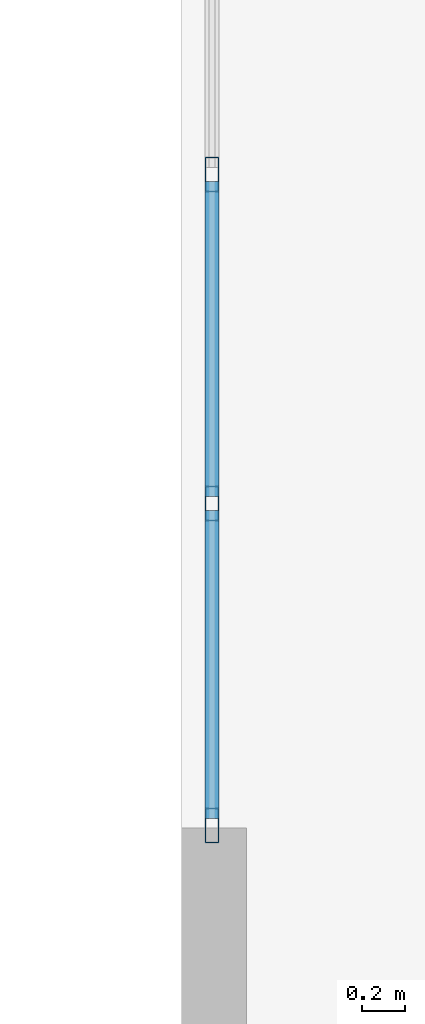
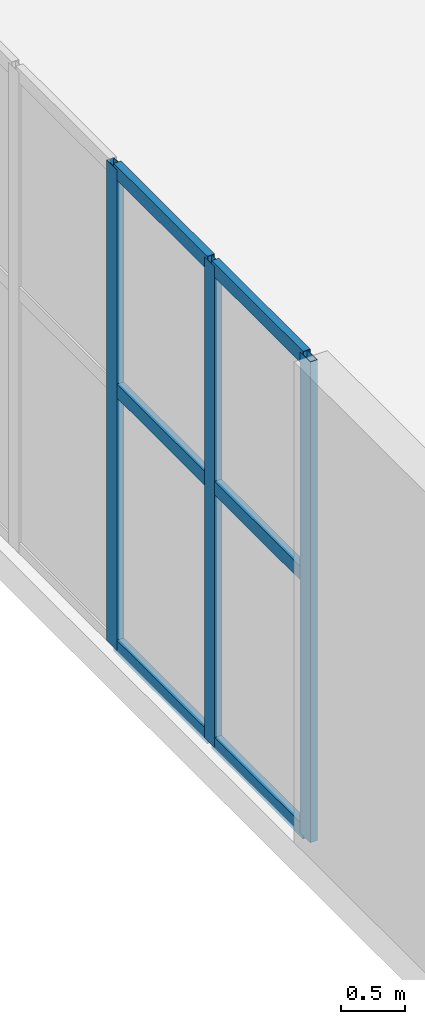
# One storey, part 14 of 72: 9 members, 1 element without a shape of its own.
"""IFC4 building model written with IfcOpenShell, lengths in metres."""

from ifc_helpers import new_model, si_unit, direction, frame, origin, origin_2d, place, context, subcontext, project, spatial, hollow_rectangle, extrude, material, layer, layer_set, material_profile, profile_set, type_object, element, aggregate, save


model = new_model("IFC4")

# Units and contexts
model_context = context("Model", 3, precision=1e-05, world=origin(), true_north=direction((0.0, 1.0)))
body_context = subcontext(model_context, "Body", "Model", "MODEL_VIEW")
ifc_project = project(units=[si_unit("LENGTHUNIT", "METRE"), si_unit("AREAUNIT", "SQUARE_METRE"), si_unit("VOLUMEUNIT", "CUBIC_METRE"), si_unit("PLANEANGLEUNIT", "RADIAN"), si_unit("MASSUNIT", "GRAM", prefix="KILO")], contexts=[model_context])

# Site, building, storey
site_placement = place(None, origin())
site = spatial("IfcSite", under=ifc_project, at=site_placement, CompositionType="ELEMENT")
building_placement = place(site_placement, origin())
building = spatial("IfcBuilding", under=site, at=building_placement, Name="Xicomal Pleat Aquarium", CompositionType="ELEMENT")
storey_placement = place(building_placement, frame((0.0, 0.0, 10.5)))
storey = spatial("IfcBuildingStorey", under=building, at=storey_placement, Name="L03", CompositionType="ELEMENT", Elevation=10.5)

# Curtain wall, members
ifc_material_1 = material(Name="Bronze anodized aluminium 6063-T6", Category="aluminium")
ifc_layer = layer(ifc_material_1, 0.159912109375)
ifc_layer_set = layer_set([ifc_layer], Name="Bronze anodized aluminium 6063-T6")
curtain_wall_type = type_object("IfcCurtainWallType", Name="CW-SYS-03", PredefinedType="NOTDEFINED", material=ifc_layer_set)
curtain_wall_placement = place(storey_placement, origin())
curtain_wall = element("IfcCurtainWall", 1, at=curtain_wall_placement, inside=storey, type_object=curtain_wall_type, Name="L03 unitised curtain wall CW-L03-168", PredefinedType="NOTDEFINED")
ifc_material_2 = material(Name="Bronze anodized aluminium 6063-T6", Category="aluminium")
ifc_material_profile_1 = material_profile(ifc_material_2, hollow_rectangle(XDim=0.06494140625, YDim=0.159912109375, WallThickness=0.00390625, at=origin_2d()), Name="ALU MULL 65x160")
ifc_profile_set_1 = profile_set([ifc_material_profile_1], Name="Bronze anodized aluminium 6063-T6")
member_type_1 = type_object("IfcMemberType", Name="CWM-65x160", PredefinedType="MULLION", material=ifc_profile_set_1)
member_1_placement = place(storey_placement, frame((43.93994140625, 45.632568359375, 0.0), z_axis=(0.0, 0.0, 1.0), x_axis=(-1.0, 0.0, 0.0)))
member_1 = element("IfcMember", 2, at=member_1_placement, type_object=member_type_1, Name="CW-03 mullion 1", PredefinedType="MULLION", context=body_context, shape_type="SweptSolid", body=[
    extrude(hollow_rectangle(XDim=0.06494140625, YDim=0.159912109375, WallThickness=0.00390625, at=origin_2d()), origin(), (0.0, 0.0, 1.0), 4.56005859375),
])
member_2_placement = place(storey_placement, frame((43.93994140625, 47.1201171875, 0.0), z_axis=(0.0, 0.0, 1.0), x_axis=(-1.0, 0.0, 0.0)))
member_2 = element("IfcMember", 3, at=member_2_placement, type_object=member_type_1, Name="CW-03 mullion 2", PredefinedType="MULLION", context=body_context, shape_type="SweptSolid", body=[
    extrude(hollow_rectangle(XDim=0.06494140625, YDim=0.159912109375, WallThickness=0.00390625, at=origin_2d()), origin(), (0.0, 0.0, 1.0), 4.56005859375),
])
member_3_placement = place(storey_placement, frame((43.93994140625, 48.639892578125, 0.0), z_axis=(0.0, 0.0, 1.0), x_axis=(-1.0, 0.0, 0.0)))
member_3 = element("IfcMember", 4, at=member_3_placement, type_object=member_type_1, Name="CW-03 mullion 3", PredefinedType="MULLION", context=body_context, shape_type="SweptSolid", body=[
    extrude(hollow_rectangle(XDim=0.06494140625, YDim=0.159912109375, WallThickness=0.00390625, at=origin_2d()), origin(), (0.0, 0.0, 1.0), 4.56005859375),
])
ifc_material_3 = material(Name="Bronze anodized aluminium 6063-T6", Category="aluminium")
ifc_material_profile_2 = material_profile(ifc_material_3, hollow_rectangle(XDim=0.06494140625, YDim=0.1298828125, WallThickness=0.00390625, at=origin_2d()), Name="ALU TRAN 65x130")
ifc_profile_set_2 = profile_set([ifc_material_profile_2], Name="Bronze anodized aluminium 6063-T6")
member_type_2 = type_object("IfcMemberType", Name="CWT-65x130", PredefinedType="USERDEFINED", material=ifc_profile_set_2)
member_4_placement = place(storey_placement, frame((43.93994140625, 45.6650390625, 0.032470703125), z_axis=(0.0, 1.0, 0.0), x_axis=(-1.0, 0.0, 0.0)))
member_4 = element("IfcMember", 5, at=member_4_placement, type_object=member_type_2, Name="CW-03 transom 1.1", ObjectType="TRANSOM", PredefinedType="USERDEFINED", context=body_context, shape_type="SweptSolid", body=[
    extrude(hollow_rectangle(XDim=0.06494140625, YDim=0.1298828125, WallThickness=0.00390625, at=origin_2d()), origin(), (0.0, 0.0, 1.0), 1.42236328125),
])
member_5_placement = place(storey_placement, frame((43.93994140625, 45.6650390625, 2.4619140625), z_axis=(0.0, 1.0, 0.0), x_axis=(-1.0, 0.0, 0.0)))
member_5 = element("IfcMember", 6, at=member_5_placement, type_object=member_type_2, Name="CW-03 transom 1.2", ObjectType="TRANSOM", PredefinedType="USERDEFINED", context=body_context, shape_type="SweptSolid", body=[
    extrude(hollow_rectangle(XDim=0.06494140625, YDim=0.1298828125, WallThickness=0.00390625, at=origin_2d()), origin(), (0.0, 0.0, 1.0), 1.42236328125),
])
member_6_placement = place(storey_placement, frame((43.93994140625, 45.6650390625, 4.527587890625), z_axis=(0.0, 1.0, 0.0), x_axis=(-1.0, 0.0, 0.0)))
member_6 = element("IfcMember", 7, at=member_6_placement, type_object=member_type_2, Name="CW-03 transom 1.3", ObjectType="TRANSOM", PredefinedType="USERDEFINED", context=body_context, shape_type="SweptSolid", body=[
    extrude(hollow_rectangle(XDim=0.06494140625, YDim=0.1298828125, WallThickness=0.00390625, at=origin_2d()), origin(), (0.0, 0.0, 1.0), 1.42236328125),
])
member_7_placement = place(storey_placement, frame((43.93994140625, 47.152587890625, 0.032470703125), z_axis=(0.0, 1.0, 0.0), x_axis=(-1.0, 0.0, 0.0)))
member_7 = element("IfcMember", 8, at=member_7_placement, type_object=member_type_2, Name="CW-03 transom 2.1", ObjectType="TRANSOM", PredefinedType="USERDEFINED", context=body_context, shape_type="SweptSolid", body=[
    extrude(hollow_rectangle(XDim=0.06494140625, YDim=0.1298828125, WallThickness=0.00390625, at=origin_2d()), origin(), (0.0, 0.0, 1.0), 1.454833984375),
])
member_8_placement = place(storey_placement, frame((43.93994140625, 47.152587890625, 2.4619140625), z_axis=(0.0, 1.0, 0.0), x_axis=(-1.0, 0.0, 0.0)))
member_8 = element("IfcMember", 9, at=member_8_placement, type_object=member_type_2, Name="CW-03 transom 2.2", ObjectType="TRANSOM", PredefinedType="USERDEFINED", context=body_context, shape_type="SweptSolid", body=[
    extrude(hollow_rectangle(XDim=0.06494140625, YDim=0.1298828125, WallThickness=0.00390625, at=origin_2d()), origin(), (0.0, 0.0, 1.0), 1.454833984375),
])
member_9_placement = place(storey_placement, frame((43.93994140625, 47.152587890625, 4.527587890625), z_axis=(0.0, 1.0, 0.0), x_axis=(-1.0, 0.0, 0.0)))
member_9 = element("IfcMember", 10, at=member_9_placement, type_object=member_type_2, Name="CW-03 transom 2.3", ObjectType="TRANSOM", PredefinedType="USERDEFINED", context=body_context, shape_type="SweptSolid", body=[
    extrude(hollow_rectangle(XDim=0.06494140625, YDim=0.1298828125, WallThickness=0.00390625, at=origin_2d()), origin(), (0.0, 0.0, 1.0), 1.454833984375),
])
aggregate(curtain_wall, [member_1, member_2, member_3, member_4, member_5, member_6, member_7, member_8, member_9])

save(model, "model.ifc")
